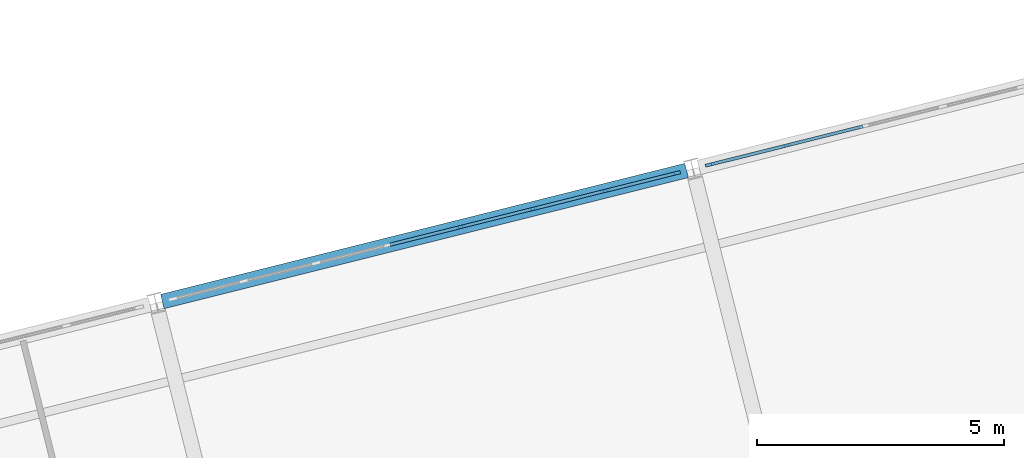
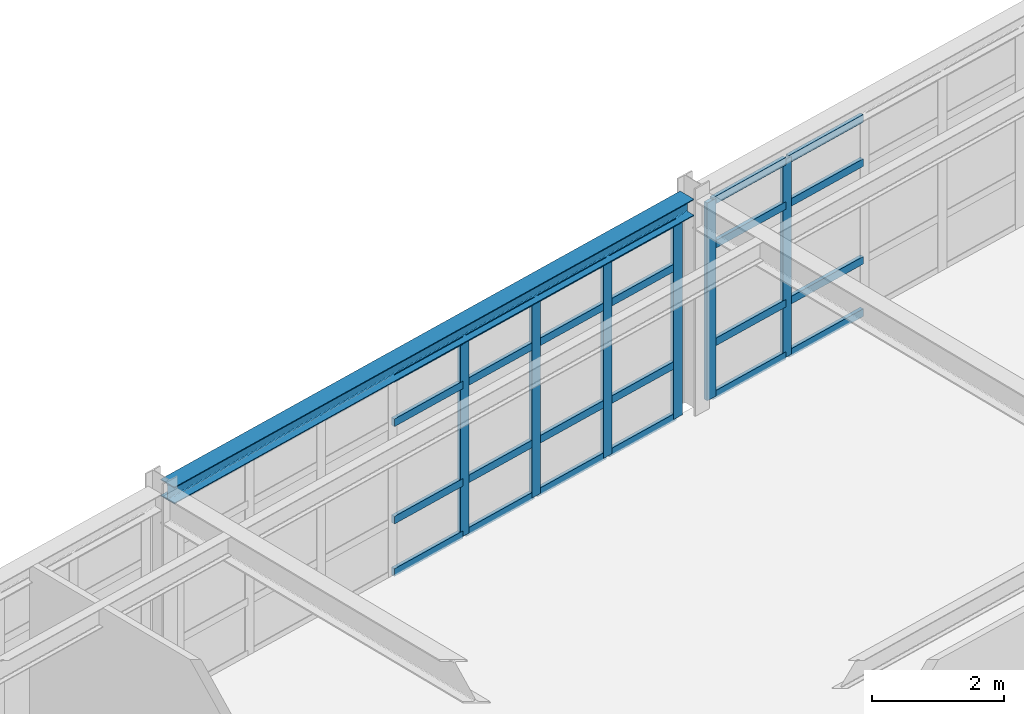
# One storey, part 29 of 76: 30 members, 1 beam, 2 elements without a shape of their own.
"""IFC4 building model written with IfcOpenShell, lengths in metres."""

from ifc_helpers import new_model, si_unit, direction, frame, origin, origin_2d, place, context, subcontext, project, spatial, rectangle, i_section, extrude, material, layer, layer_set, material_profile, profile_set, type_object, element, aggregate, save


model = new_model("IFC4")

# Units and contexts
model_context = context("Model", 3, precision=1e-05, world=origin(), true_north=direction((0.0, 1.0)))
body_context = subcontext(model_context, "Body", "Model", "MODEL_VIEW")
ifc_project = project(units=[si_unit("LENGTHUNIT", "METRE"), si_unit("AREAUNIT", "SQUARE_METRE"), si_unit("VOLUMEUNIT", "CUBIC_METRE"), si_unit("PLANEANGLEUNIT", "RADIAN"), si_unit("MASSUNIT", "GRAM", prefix="KILO")], contexts=[model_context])

# Site, building, storey
site_placement = place(None, origin())
site = spatial("IfcSite", under=ifc_project, at=site_placement, CompositionType="ELEMENT")
building_placement = place(site_placement, origin())
building = spatial("IfcBuilding", under=site, at=building_placement, Name="Nordkorset Police Headquarters", CompositionType="ELEMENT")
storey_placement = place(building_placement, frame((0.0, 0.0, 13.64990234375)))
storey = spatial("IfcBuildingStorey", under=building, at=storey_placement, Name="L03", CompositionType="ELEMENT", Elevation=13.64990234375)

# Curtain wall, members
ifc_material_1 = material(Name="Aluminium alloy AW-6060", Category="aluminium")
ifc_layer_1 = layer(ifc_material_1, 0.179931640625, Name="Aluminium alloy AW-6060")
ifc_layer_set_1 = layer_set([ifc_layer_1], Name="Aluminium alloy AW-6060")
curtain_wall_type_1 = type_object("IfcCurtainWallType", Name="CW_Unit_1056x365", PredefinedType="USERDEFINED", material=ifc_layer_set_1)
curtain_wall_1_placement = place(storey_placement, origin())
curtain_wall_1 = element("IfcCurtainWall", 1, at=curtain_wall_1_placement, inside=storey, type_object=curtain_wall_type_1, Name="Unitised Curtain Wall L03 V4N-3", ObjectType="UNITISED CURTAIN WALL", PredefinedType="USERDEFINED")
ifc_material_2 = material(Name="Aluminium alloy AW-6060", Category="aluminium")
ifc_material_profile_1 = material_profile(ifc_material_2, rectangle(XDim=0.06494140625, YDim=0.179931640625, at=origin_2d()), Name="ALU MULL 65x180")
ifc_profile_set_1 = profile_set([ifc_material_profile_1], Name="Aluminium alloy AW-6060")
member_type_1 = type_object("IfcMemberType", Name="CW_Mullion_65x180", PredefinedType="MULLION", material=ifc_profile_set_1)
member_1_placement = place(storey_placement, frame((54.212158203125, 64.496337890625, 0.0), z_axis=(0.0, 0.0, 1.0), x_axis=(-0.242536070676, 0.970142388735, 0.0)))
member_1 = element("IfcMember", 2, at=member_1_placement, type_object=member_type_1, Name="CW-11 mullion 5", PredefinedType="MULLION", context=body_context, shape_type="SweptSolid", body=[
    extrude(rectangle(XDim=0.06494140625, YDim=0.179931640625, at=origin_2d()), origin(), (0.0, 0.0, 1.0), 3.650146484375),
])
member_2_placement = place(storey_placement, frame((55.67578125, 64.862060546875, 0.0), z_axis=(0.0, 0.0, 1.0), x_axis=(-0.242536070676, 0.970142388735, 0.0)))
member_2 = element("IfcMember", 3, at=member_2_placement, type_object=member_type_1, Name="CW-11 mullion 6", PredefinedType="MULLION", context=body_context, shape_type="SweptSolid", body=[
    extrude(rectangle(XDim=0.06494140625, YDim=0.179931640625, at=origin_2d()), origin(), (0.0, 0.0, 1.0), 3.650146484375),
])
member_3_placement = place(storey_placement, frame((57.13916015625, 65.22802734375, 0.0), z_axis=(0.0, 0.0, 1.0), x_axis=(-0.242536070676, 0.970142388735, 0.0)))
member_3 = element("IfcMember", 4, at=member_3_placement, type_object=member_type_1, Name="CW-11 mullion 7", PredefinedType="MULLION", context=body_context, shape_type="SweptSolid", body=[
    extrude(rectangle(XDim=0.06494140625, YDim=0.179931640625, at=origin_2d()), origin(), (0.0, 0.0, 1.0), 3.650146484375),
])
member_4_placement = place(storey_placement, frame((58.5712890625, 65.5859375, 0.0), z_axis=(0.0, 0.0, 1.0), x_axis=(-0.242536070676, 0.970142388735, 0.0)))
member_4 = element("IfcMember", 5, at=member_4_placement, type_object=member_type_1, Name="CW-11 mullion 8", PredefinedType="MULLION", context=body_context, shape_type="SweptSolid", body=[
    extrude(rectangle(XDim=0.06494140625, YDim=0.179931640625, at=origin_2d()), origin(), (0.0, 0.0, 1.0), 3.650146484375),
])

ifc_material_3 = material(Name="Aluminium alloy AW-6060", Category="aluminium")
ifc_layer_2 = layer(ifc_material_3, 0.179931640625, Name="Aluminium alloy AW-6060")
ifc_layer_set_2 = layer_set([ifc_layer_2], Name="Aluminium alloy AW-6060")
curtain_wall_type_2 = type_object("IfcCurtainWallType", Name="CW_Unit_816x366", PredefinedType="USERDEFINED", material=ifc_layer_set_2)
curtain_wall_2_placement = place(storey_placement, origin())
curtain_wall_2 = element("IfcCurtainWall", 6, at=curtain_wall_2_placement, inside=storey, type_object=curtain_wall_type_2, Name="Unitised Curtain Wall L03 V4N-4", ObjectType="UNITISED CURTAIN WALL", PredefinedType="USERDEFINED")
member_5_placement = place(storey_placement, frame((59.255126953125, 65.757080078125, 0.0), z_axis=(0.0, 0.0, 1.0), x_axis=(-0.242535336683, 0.970142572234, 0.0)))
member_5 = element("IfcMember", 7, at=member_5_placement, type_object=member_type_1, Name="CW-87 mullion 1", PredefinedType="MULLION", context=body_context, shape_type="SweptSolid", body=[
    extrude(rectangle(XDim=0.06494140625, YDim=0.179931640625, at=origin_2d()), origin(), (0.0, 0.0, 1.0), 3.655029296875),
])
member_6_placement = place(storey_placement, frame((60.806884765625, 66.14501953125, 0.0), z_axis=(0.0, 0.0, 1.0), x_axis=(-0.242535336683, 0.970142572234, 0.0)))
member_6 = element("IfcMember", 8, at=member_6_placement, type_object=member_type_1, Name="CW-87 mullion 2", PredefinedType="MULLION", context=body_context, shape_type="SweptSolid", body=[
    extrude(rectangle(XDim=0.06494140625, YDim=0.179931640625, at=origin_2d()), origin(), (0.0, 0.0, 1.0), 3.655029296875),
])

# Member
ifc_material_4 = material(Name="Aluminium alloy AW-6060", Category="aluminium")
ifc_material_profile_2 = material_profile(ifc_material_4, rectangle(XDim=0.06494140625, YDim=0.139892578125, at=origin_2d()), Name="ALU TRAN 65x140")
ifc_profile_set_2 = profile_set([ifc_material_profile_2], Name="Aluminium alloy AW-6060")
member_type_2 = type_object("IfcMemberType", Name="CW_Transom_65x140", PredefinedType="USERDEFINED", material=ifc_profile_set_2)
member_7_placement = place(storey_placement, frame((52.7802734375, 64.13818359375, 0.03271484375), z_axis=(0.970142500145, 0.242535625036, 0.0), x_axis=(-0.242535625036, 0.970142500145, 0.0)))
member_7 = element("IfcMember", 9, at=member_7_placement, type_object=member_type_2, Name="CW-11 transom 4.1", ObjectType="TRANSOM", PredefinedType="USERDEFINED", context=body_context, shape_type="SweptSolid", body=[
    extrude(rectangle(XDim=0.06494140625, YDim=0.139892578125, at=origin_2d()), origin(), (0.0, 0.0, 1.0), 1.443603515625),
])

member_8_placement = place(storey_placement, frame((52.7802734375, 64.13818359375, 1.0), z_axis=(0.970142500145, 0.242535625036, 0.0), x_axis=(-0.242535625036, 0.970142500145, 0.0)))
member_8 = element("IfcMember", 10, at=member_8_placement, type_object=member_type_2, Name="CW-11 transom 4.2", ObjectType="TRANSOM", PredefinedType="USERDEFINED", context=body_context, shape_type="SweptSolid", body=[
    extrude(rectangle(XDim=0.06494140625, YDim=0.139892578125, at=origin_2d()), origin(), (0.0, 0.0, 1.0), 1.443603515625),
])

member_9_placement = place(storey_placement, frame((52.7802734375, 64.13818359375, 2.800048828125), z_axis=(0.970142500145, 0.242535625036, 0.0), x_axis=(-0.242535625036, 0.970142500145, 0.0)))
member_9 = element("IfcMember", 11, at=member_9_placement, type_object=member_type_2, Name="CW-11 transom 4.3", ObjectType="TRANSOM", PredefinedType="USERDEFINED", context=body_context, shape_type="SweptSolid", body=[
    extrude(rectangle(XDim=0.06494140625, YDim=0.139892578125, at=origin_2d()), origin(), (0.0, 0.0, 1.0), 1.443603515625),
])

member_10_placement = place(storey_placement, frame((52.7802734375, 64.13818359375, 3.61767578125), z_axis=(0.970142500145, 0.242535625036, 0.0), x_axis=(-0.242535625036, 0.970142500145, 0.0)))
member_10 = element("IfcMember", 12, at=member_10_placement, type_object=member_type_2, Name="CW-11 transom 4.4", ObjectType="TRANSOM", PredefinedType="USERDEFINED", context=body_context, shape_type="SweptSolid", body=[
    extrude(rectangle(XDim=0.06494140625, YDim=0.139892578125, at=origin_2d()), origin(), (0.0, 0.0, 1.0), 1.443603515625),
])

member_11_placement = place(storey_placement, frame((54.24365234375, 64.504150390625, 0.03271484375), z_axis=(0.970142500145, 0.242535625036, 0.0), x_axis=(-0.242535625036, 0.970142500145, 0.0)))
member_11 = element("IfcMember", 13, at=member_11_placement, type_object=member_type_2, Name="CW-11 transom 5.1", ObjectType="TRANSOM", PredefinedType="USERDEFINED", context=body_context, shape_type="SweptSolid", body=[
    extrude(rectangle(XDim=0.06494140625, YDim=0.139892578125, at=origin_2d()), origin(), (0.0, 0.0, 1.0), 1.443603515625),
])

member_12_placement = place(storey_placement, frame((54.24365234375, 64.504150390625, 1.0), z_axis=(0.970142500145, 0.242535625036, 0.0), x_axis=(-0.242535625036, 0.970142500145, 0.0)))
member_12 = element("IfcMember", 14, at=member_12_placement, type_object=member_type_2, Name="CW-11 transom 5.2", ObjectType="TRANSOM", PredefinedType="USERDEFINED", context=body_context, shape_type="SweptSolid", body=[
    extrude(rectangle(XDim=0.06494140625, YDim=0.139892578125, at=origin_2d()), origin(), (0.0, 0.0, 1.0), 1.443603515625),
])

member_13_placement = place(storey_placement, frame((54.24365234375, 64.504150390625, 2.800048828125), z_axis=(0.970142500145, 0.242535625036, 0.0), x_axis=(-0.242535625036, 0.970142500145, 0.0)))
member_13 = element("IfcMember", 15, at=member_13_placement, type_object=member_type_2, Name="CW-11 transom 5.3", ObjectType="TRANSOM", PredefinedType="USERDEFINED", context=body_context, shape_type="SweptSolid", body=[
    extrude(rectangle(XDim=0.06494140625, YDim=0.139892578125, at=origin_2d()), origin(), (0.0, 0.0, 1.0), 1.443603515625),
])

member_14_placement = place(storey_placement, frame((54.24365234375, 64.504150390625, 3.61767578125), z_axis=(0.970142500145, 0.242535625036, 0.0), x_axis=(-0.242535625036, 0.970142500145, 0.0)))
member_14 = element("IfcMember", 16, at=member_14_placement, type_object=member_type_2, Name="CW-11 transom 5.4", ObjectType="TRANSOM", PredefinedType="USERDEFINED", context=body_context, shape_type="SweptSolid", body=[
    extrude(rectangle(XDim=0.06494140625, YDim=0.139892578125, at=origin_2d()), origin(), (0.0, 0.0, 1.0), 1.443603515625),
])

member_15_placement = place(storey_placement, frame((55.707275390625, 64.869873046875, 0.03271484375), z_axis=(0.9701026929, 0.24269479852, 0.0), x_axis=(-0.24269479852, 0.9701026929, 0.0)))
member_15 = element("IfcMember", 17, at=member_15_placement, type_object=member_type_2, Name="CW-11 transom 6.1", ObjectType="TRANSOM", PredefinedType="USERDEFINED", context=body_context, shape_type="SweptSolid", body=[
    extrude(rectangle(XDim=0.06494140625, YDim=0.139892578125, at=origin_2d()), origin(), (0.0, 0.0, 1.0), 1.443603515625),
])

member_16_placement = place(storey_placement, frame((55.707275390625, 64.869873046875, 1.0), z_axis=(0.9701026929, 0.24269479852, 0.0), x_axis=(-0.24269479852, 0.9701026929, 0.0)))
member_16 = element("IfcMember", 18, at=member_16_placement, type_object=member_type_2, Name="CW-11 transom 6.2", ObjectType="TRANSOM", PredefinedType="USERDEFINED", context=body_context, shape_type="SweptSolid", body=[
    extrude(rectangle(XDim=0.06494140625, YDim=0.139892578125, at=origin_2d()), origin(), (0.0, 0.0, 1.0), 1.443603515625),
])

member_17_placement = place(storey_placement, frame((55.707275390625, 64.869873046875, 2.800048828125), z_axis=(0.9701026929, 0.24269479852, 0.0), x_axis=(-0.24269479852, 0.9701026929, 0.0)))
member_17 = element("IfcMember", 19, at=member_17_placement, type_object=member_type_2, Name="CW-11 transom 6.3", ObjectType="TRANSOM", PredefinedType="USERDEFINED", context=body_context, shape_type="SweptSolid", body=[
    extrude(rectangle(XDim=0.06494140625, YDim=0.139892578125, at=origin_2d()), origin(), (0.0, 0.0, 1.0), 1.443603515625),
])

member_18_placement = place(storey_placement, frame((55.707275390625, 64.869873046875, 3.61767578125), z_axis=(0.9701026929, 0.24269479852, 0.0), x_axis=(-0.24269479852, 0.9701026929, 0.0)))
member_18 = element("IfcMember", 20, at=member_18_placement, type_object=member_type_2, Name="CW-11 transom 6.4", ObjectType="TRANSOM", PredefinedType="USERDEFINED", context=body_context, shape_type="SweptSolid", body=[
    extrude(rectangle(XDim=0.06494140625, YDim=0.139892578125, at=origin_2d()), origin(), (0.0, 0.0, 1.0), 1.443603515625),
])

member_19_placement = place(storey_placement, frame((57.170654296875, 65.23583984375, 0.03271484375), z_axis=(0.970142500145, 0.242535625036, 0.0), x_axis=(-0.242535625036, 0.970142500145, 0.0)))
member_19 = element("IfcMember", 21, at=member_19_placement, type_object=member_type_2, Name="CW-11 transom 7.1", ObjectType="TRANSOM", PredefinedType="USERDEFINED", context=body_context, shape_type="SweptSolid", body=[
    extrude(rectangle(XDim=0.06494140625, YDim=0.139892578125, at=origin_2d()), origin(), (0.0, 0.0, 1.0), 1.411376953125),
])

member_20_placement = place(storey_placement, frame((57.170654296875, 65.23583984375, 1.0), z_axis=(0.970142500145, 0.242535625036, 0.0), x_axis=(-0.242535625036, 0.970142500145, 0.0)))
member_20 = element("IfcMember", 22, at=member_20_placement, type_object=member_type_2, Name="CW-11 transom 7.2", ObjectType="TRANSOM", PredefinedType="USERDEFINED", context=body_context, shape_type="SweptSolid", body=[
    extrude(rectangle(XDim=0.06494140625, YDim=0.139892578125, at=origin_2d()), origin(), (0.0, 0.0, 1.0), 1.411376953125),
])

member_21_placement = place(storey_placement, frame((57.170654296875, 65.23583984375, 2.800048828125), z_axis=(0.970142500145, 0.242535625036, 0.0), x_axis=(-0.242535625036, 0.970142500145, 0.0)))
member_21 = element("IfcMember", 23, at=member_21_placement, type_object=member_type_2, Name="CW-11 transom 7.3", ObjectType="TRANSOM", PredefinedType="USERDEFINED", context=body_context, shape_type="SweptSolid", body=[
    extrude(rectangle(XDim=0.06494140625, YDim=0.139892578125, at=origin_2d()), origin(), (0.0, 0.0, 1.0), 1.411376953125),
])

member_22_placement = place(storey_placement, frame((57.170654296875, 65.23583984375, 3.61767578125), z_axis=(0.970142500145, 0.242535625036, 0.0), x_axis=(-0.242535625036, 0.970142500145, 0.0)))
member_22 = element("IfcMember", 24, at=member_22_placement, type_object=member_type_2, Name="CW-11 transom 7.4", ObjectType="TRANSOM", PredefinedType="USERDEFINED", context=body_context, shape_type="SweptSolid", body=[
    extrude(rectangle(XDim=0.06494140625, YDim=0.139892578125, at=origin_2d()), origin(), (0.0, 0.0, 1.0), 1.411376953125),
])

aggregate(curtain_wall_1, [member_1, member_2, member_3, member_4, member_7, member_8, member_9, member_10, member_11, member_12, member_13, member_14, member_15, member_16, member_17, member_18, member_19, member_20, member_21, member_22])

member_23_placement = place(storey_placement, frame((59.28662109375, 65.764892578125, 0.03271484375), z_axis=(0.970161214313, 0.242460756086, 0.0), x_axis=(-0.242460756086, 0.970161214313, 0.0)))
member_23 = element("IfcMember", 25, at=member_23_placement, type_object=member_type_2, Name="CW-87 transom 1.1", ObjectType="TRANSOM", PredefinedType="USERDEFINED", context=body_context, shape_type="SweptSolid", body=[
    extrude(rectangle(XDim=0.06494140625, YDim=0.139892578125, at=origin_2d()), origin(), (0.0, 0.0, 1.0), 1.53466796875),
])

member_24_placement = place(storey_placement, frame((59.28662109375, 65.764892578125, 1.0), z_axis=(0.970161214313, 0.242460756086, 0.0), x_axis=(-0.242460756086, 0.970161214313, 0.0)))
member_24 = element("IfcMember", 26, at=member_24_placement, type_object=member_type_2, Name="CW-87 transom 1.2", ObjectType="TRANSOM", PredefinedType="USERDEFINED", context=body_context, shape_type="SweptSolid", body=[
    extrude(rectangle(XDim=0.06494140625, YDim=0.139892578125, at=origin_2d()), origin(), (0.0, 0.0, 1.0), 1.53466796875),
])

member_25_placement = place(storey_placement, frame((59.28662109375, 65.764892578125, 2.80517578125), z_axis=(0.970161214313, 0.242460756086, 0.0), x_axis=(-0.242460756086, 0.970161214313, 0.0)))
member_25 = element("IfcMember", 27, at=member_25_placement, type_object=member_type_2, Name="CW-87 transom 1.3", ObjectType="TRANSOM", PredefinedType="USERDEFINED", context=body_context, shape_type="SweptSolid", body=[
    extrude(rectangle(XDim=0.06494140625, YDim=0.139892578125, at=origin_2d()), origin(), (0.0, 0.0, 1.0), 1.53466796875),
])

member_26_placement = place(storey_placement, frame((59.28662109375, 65.764892578125, 3.62255859375), z_axis=(0.970161214313, 0.242460756086, 0.0), x_axis=(-0.242460756086, 0.970161214313, 0.0)))
member_26 = element("IfcMember", 28, at=member_26_placement, type_object=member_type_2, Name="CW-87 transom 1.4", ObjectType="TRANSOM", PredefinedType="USERDEFINED", context=body_context, shape_type="SweptSolid", body=[
    extrude(rectangle(XDim=0.06494140625, YDim=0.139892578125, at=origin_2d()), origin(), (0.0, 0.0, 1.0), 1.53466796875),
])

member_27_placement = place(storey_placement, frame((60.83837890625, 66.15283203125, 0.03271484375), z_axis=(0.970133335061, 0.24257228243, 0.0), x_axis=(-0.24257228243, 0.970133335061, 0.0)))
member_27 = element("IfcMember", 29, at=member_27_placement, type_object=member_type_2, Name="CW-87 transom 2.1", ObjectType="TRANSOM", PredefinedType="USERDEFINED", context=body_context, shape_type="SweptSolid", body=[
    extrude(rectangle(XDim=0.06494140625, YDim=0.139892578125, at=origin_2d()), origin(), (0.0, 0.0, 1.0), 1.567138671875),
])

member_28_placement = place(storey_placement, frame((60.83837890625, 66.15283203125, 1.0), z_axis=(0.970133335061, 0.24257228243, 0.0), x_axis=(-0.24257228243, 0.970133335061, 0.0)))
member_28 = element("IfcMember", 30, at=member_28_placement, type_object=member_type_2, Name="CW-87 transom 2.2", ObjectType="TRANSOM", PredefinedType="USERDEFINED", context=body_context, shape_type="SweptSolid", body=[
    extrude(rectangle(XDim=0.06494140625, YDim=0.139892578125, at=origin_2d()), origin(), (0.0, 0.0, 1.0), 1.567138671875),
])

member_29_placement = place(storey_placement, frame((60.83837890625, 66.15283203125, 2.80517578125), z_axis=(0.970133335061, 0.24257228243, 0.0), x_axis=(-0.24257228243, 0.970133335061, 0.0)))
member_29 = element("IfcMember", 31, at=member_29_placement, type_object=member_type_2, Name="CW-87 transom 2.3", ObjectType="TRANSOM", PredefinedType="USERDEFINED", context=body_context, shape_type="SweptSolid", body=[
    extrude(rectangle(XDim=0.06494140625, YDim=0.139892578125, at=origin_2d()), origin(), (0.0, 0.0, 1.0), 1.567138671875),
])

member_30_placement = place(storey_placement, frame((60.83837890625, 66.15283203125, 3.62255859375), z_axis=(0.970133335061, 0.24257228243, 0.0), x_axis=(-0.24257228243, 0.970133335061, 0.0)))
member_30 = element("IfcMember", 32, at=member_30_placement, type_object=member_type_2, Name="CW-87 transom 2.4", ObjectType="TRANSOM", PredefinedType="USERDEFINED", context=body_context, shape_type="SweptSolid", body=[
    extrude(rectangle(XDim=0.06494140625, YDim=0.139892578125, at=origin_2d()), origin(), (0.0, 0.0, 1.0), 1.567138671875),
])

aggregate(curtain_wall_2, [member_5, member_6, member_23, member_24, member_25, member_26, member_27, member_28, member_29, member_30])

# Beam
ifc_material_5 = material(Name="Steel S355J2", Category="steel")
ifc_material_profile_3 = material_profile(ifc_material_5, i_section(OverallWidth=0.300048828125, OverallDepth=0.31005859375, WebThickness=0.009033203125, FlangeThickness=0.015380859375, FilletRadius=0.027099609375, at=origin_2d()), Name="HEA 320")
ifc_profile_set_3 = profile_set([ifc_material_profile_3], Name="Steel S355J2")
beam_type = type_object("IfcBeamType", Name="Spandrel_HEA_320", PredefinedType="SPANDREL", material=ifc_profile_set_3)
beam_placement = place(storey_placement, frame((48.173828125, 62.986572265625, 3.8251953125), z_axis=(0.970142500145, 0.242535625036, 0.0), x_axis=(-0.242535625036, 0.970142500145, 0.0)))
element("IfcBeam", 33, at=beam_placement, inside=storey, type_object=beam_type, Name="Splayed Wing Spandrel L03 3-1", PredefinedType="SPANDREL", context=body_context, shape_type="SweptSolid", body=[
    extrude(i_section(OverallWidth=0.300048828125, OverallDepth=0.31005859375, WebThickness=0.009033203125, FlangeThickness=0.015380859375, FilletRadius=0.027099609375, at=origin_2d()), origin(), (0.0, 0.0, 1.0), 10.93994140625),
])

save(model, "model.ifc")
